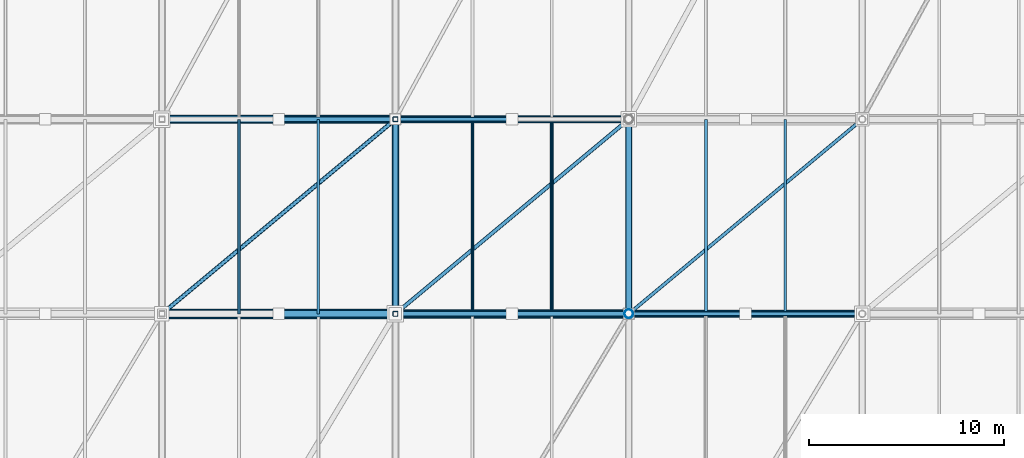
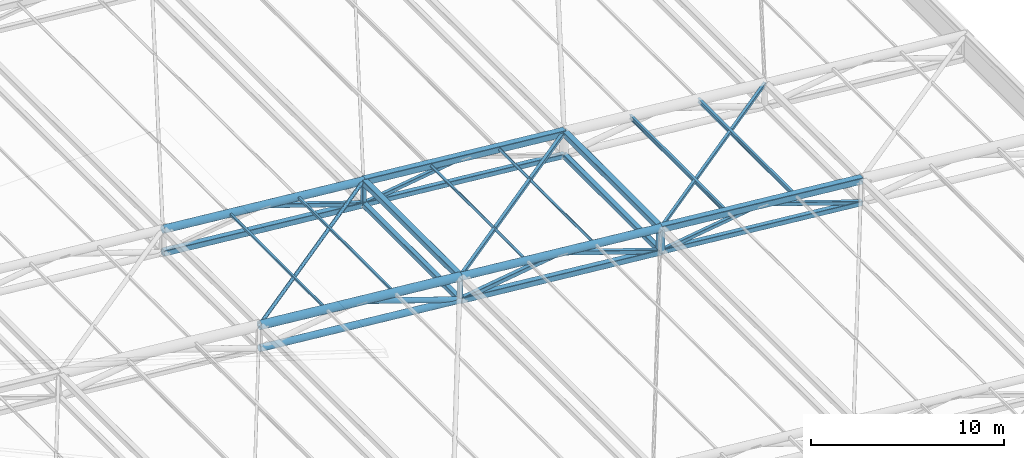
# One storey, part 34 of 44: 33 members.
"""IFC4 building model written with IfcOpenShell, lengths in metres."""

from ifc_helpers import new_model, si_unit, direction, frame, origin, origin_2d, place, context, subcontext, project, spatial, hollow_rectangle, hollow_circle, i_section, extrude, material, material_profile, profile_set, type_object, element, save


model = new_model("IFC4")

# Units and contexts
model_context = context("Model", 3, precision=1e-05, world=origin(), true_north=direction((0.0, 1.0)))
body_context = subcontext(model_context, "Body", "Model", "MODEL_VIEW")
ifc_project = project(units=[si_unit("LENGTHUNIT", "METRE"), si_unit("AREAUNIT", "SQUARE_METRE"), si_unit("VOLUMEUNIT", "CUBIC_METRE"), si_unit("PLANEANGLEUNIT", "RADIAN"), si_unit("MASSUNIT", "GRAM", prefix="KILO")], contexts=[model_context])

# Site, building, storey
site_placement = place(None, origin())
site = spatial("IfcSite", under=ifc_project, at=site_placement, CompositionType="ELEMENT")
building_placement = place(site_placement, origin())
building = spatial("IfcBuilding", under=site, at=building_placement, Name="Brinegate Civic Arena", CompositionType="ELEMENT")
storey_placement = place(building_placement, frame((0.0, 0.0, 29.39990234375)))
storey = spatial("IfcBuildingStorey", under=building, at=storey_placement, Name="RF", CompositionType="ELEMENT", Elevation=29.39990234375)

# Members
ifc_material = material(Name="Steel S355", Category="steel")
ifc_material_profile_1 = material_profile(ifc_material, hollow_circle(Radius=0.083984375, WallThickness=0.008056640625, at=origin_2d()), Name="CHS168X8")
ifc_profile_set_1 = profile_set([ifc_material_profile_1], Name="Steel S355")
member_type_1 = type_object("IfcMemberType", Name="RF-PURLIN-CHS168", PredefinedType="PURLIN", material=ifc_profile_set_1)
for number, where, z_axis, x_axis, name in (
    (1, (123.9599609375, 72.0, 4.585205078125), (0.0, 1.0, 0.0), (-1.0, 0.0, 0.0), "Roof Purlin RFP-085"),
    (2, (128.0400390625, 72.0, 4.2021484375), (0.0, 1.0, 0.0), (-1.0, 0.0, 0.0), "Roof Purlin RFP-086"),
):
    element("IfcMember", number, at=place(storey_placement, frame(where, z_axis=z_axis, x_axis=x_axis)), inside=storey, type_object=member_type_1, Name=name, PredefinedType="PURLIN", context=body_context, shape_type="SweptSolid", body=[
        extrude(hollow_circle(Radius=0.083984375, WallThickness=0.008056640625, at=origin_2d()), origin(), (0.0, 0.0, 1.0), 10.0),
    ])
ifc_material_profile_2 = material_profile(ifc_material, hollow_rectangle(XDim=0.139892578125, YDim=0.139892578125, WallThickness=0.008056640625, InnerFilletRadius=0.008056640625, OuterFilletRadius=0.01611328125, at=origin_2d()), Name="SHS140X8")
ifc_profile_set_2 = profile_set([ifc_material_profile_2], Name="Steel S355")
member_type_2 = type_object("IfcMemberType", Name="RF-PURLIN-SHS140", PredefinedType="PURLIN", material=ifc_profile_set_2)
for number, where, z_axis, x_axis, name in (
    (3, (111.9599609375, 72.0, 5.72412109375), (0.0, 1.0, 0.0), (-1.0, 0.0, 0.0), "Roof Purlin RFP-083"),
    (4, (116.0400390625, 72.0, 5.341064453125), (0.0, 1.0, 0.0), (-1.0, 0.0, 0.0), "Roof Purlin RFP-084"),
):
    element("IfcMember", number, at=place(storey_placement, frame(where, z_axis=z_axis, x_axis=x_axis)), inside=storey, type_object=member_type_2, Name=name, PredefinedType="PURLIN", context=body_context, shape_type="SweptSolid", body=[
        extrude(hollow_rectangle(XDim=0.139892578125, YDim=0.139892578125, WallThickness=0.008056640625, InnerFilletRadius=0.008056640625, OuterFilletRadius=0.01611328125, at=origin_2d()), origin(), (0.0, 0.0, 1.0), 10.0),
    ])
ifc_material_profile_3 = material_profile(ifc_material, i_section(OverallWidth=0.14794921875, OverallDepth=0.26611328125, WebThickness=0.008056640625, FlangeThickness=0.012939453125, FilletRadius=0.011962890625, at=origin_2d()), Name="W250X45")
ifc_profile_set_3 = profile_set([ifc_material_profile_3], Name="Steel S355")
member_type_3 = type_object("IfcMemberType", Name="RF-PURLIN-W250", PredefinedType="PURLIN", material=ifc_profile_set_3)
for number, where, z_axis, x_axis, name in (
    (5, (135.9599609375, 72.0, 3.4111328125), (0.0, 1.0, 0.0), (-1.0, 0.0, 0.0), "Roof Purlin RFP-087"),
    (6, (140.0400390625, 72.0, 3.028076171875), (0.0, 1.0, 0.0), (-1.0, 0.0, 0.0), "Roof Purlin RFP-088"),
):
    element("IfcMember", number, at=place(storey_placement, frame(where, z_axis=z_axis, x_axis=x_axis)), inside=storey, type_object=member_type_3, Name=name, PredefinedType="PURLIN", context=body_context, shape_type="SweptSolid", body=[
        extrude(i_section(OverallWidth=0.14794921875, OverallDepth=0.26611328125, WebThickness=0.008056640625, FlangeThickness=0.012939453125, FilletRadius=0.011962890625, at=origin_2d()), origin(), (0.0, 0.0, 1.0), 10.0),
    ])
ifc_material_profile_4 = material_profile(ifc_material, hollow_circle(Radius=0.109619140625, WallThickness=0.010009765625, at=origin_2d()), Name="CHS219X10")
ifc_profile_set_4 = profile_set([ifc_material_profile_4], Name="Steel S355")
member_type_4 = type_object("IfcMemberType", Name="SF-BRACE-CHS219", PredefinedType="BRACE", material=ifc_profile_set_4)
member_1_placement = place(storey_placement, frame((108.0, 72.0, 6.050048828125), z_axis=(0.766236619907, 0.638530516589, -0.071834683116), x_axis=(-0.640184399664, 0.768221279597, 0.0)))
element("IfcMember", 7, at=member_1_placement, inside=storey, type_object=member_type_4, Name="Roof Plan Diagonal Brace PL-5-6", PredefinedType="BRACE", context=body_context, shape_type="SweptSolid", body=[
    extrude(hollow_circle(Radius=0.109619140625, WallThickness=0.010009765625, at=origin_2d()), origin(), (0.0, 0.0, 1.0), 15.660888671875),
])
ifc_material_profile_5 = material_profile(ifc_material, hollow_circle(Radius=0.162109375, WallThickness=0.011962890625, at=origin_2d()), Name="CHS324X12")
ifc_profile_set_5 = profile_set([ifc_material_profile_5], Name="Steel S355")
member_type_5 = type_object("IfcMemberType", Name="SF-BRACE-CHS324", PredefinedType="BRACE", material=ifc_profile_set_5)
member_2_placement = place(storey_placement, frame((114.0, 72.0, 5.488037109375), z_axis=(0.948068139281, 0.0, -0.318067293635), x_axis=(0.0, 1.0, 0.0)))
element("IfcMember", 8, at=member_2_placement, inside=storey, type_object=member_type_5, Name="Space Frame Web Brace D2-5-6", PredefinedType="BRACE", context=body_context, shape_type="SweptSolid", body=[
    extrude(hollow_circle(Radius=0.162109375, WallThickness=0.011962890625, at=origin_2d()), origin(), (0.0, 0.0, 1.0), 6.32861328125),
])
ifc_material_profile_6 = material_profile(ifc_material, hollow_rectangle(XDim=0.179931640625, YDim=0.179931640625, WallThickness=0.010009765625, InnerFilletRadius=0.010009765625, OuterFilletRadius=0.02001953125, at=origin_2d()), Name="SHS180X10")
ifc_profile_set_6 = profile_set([ifc_material_profile_6], Name="Steel S355")
member_type_6 = type_object("IfcMemberType", Name="SF-BRACE-SHS180", PredefinedType="BRACE", material=ifc_profile_set_6)
member_3_placement = place(storey_placement, frame((132.0, 72.0, 3.800048828125), z_axis=(0.766236619907, 0.638530516589, -0.071834683116), x_axis=(-0.640184399664, 0.768221279597, 0.0)))
element("IfcMember", 9, at=member_3_placement, inside=storey, type_object=member_type_6, Name="Roof Plan Diagonal Brace PL-5-8", PredefinedType="BRACE", context=body_context, shape_type="SweptSolid", body=[
    extrude(hollow_rectangle(XDim=0.179931640625, YDim=0.179931640625, WallThickness=0.010009765625, InnerFilletRadius=0.010009765625, OuterFilletRadius=0.02001953125, at=origin_2d()), origin(), (0.0, 0.0, 1.0), 15.660888671875),
])
ifc_material_profile_7 = material_profile(ifc_material, hollow_rectangle(XDim=0.199951171875, YDim=0.199951171875, WallThickness=0.010009765625, InnerFilletRadius=0.010009765625, OuterFilletRadius=0.02001953125, at=origin_2d()), Name="SHS200X10")
ifc_profile_set_7 = profile_set([ifc_material_profile_7], Name="Steel S355")
member_type_7 = type_object("IfcMemberType", Name="SF-BRACE-SHS200", PredefinedType="BRACE", material=ifc_profile_set_7)
member_4_placement = place(storey_placement, frame((120.0, 72.0, 4.925048828125), z_axis=(0.766236619907, 0.638530516589, -0.071834683116), x_axis=(-0.640184399664, 0.768221279597, 0.0)))
element("IfcMember", 10, at=member_4_placement, inside=storey, type_object=member_type_7, Name="Roof Plan Diagonal Brace PL-5-7", PredefinedType="BRACE", context=body_context, shape_type="SweptSolid", body=[
    extrude(hollow_rectangle(XDim=0.199951171875, YDim=0.199951171875, WallThickness=0.010009765625, InnerFilletRadius=0.010009765625, OuterFilletRadius=0.02001953125, at=origin_2d()), origin(), (0.0, 0.0, 1.0), 15.660888671875),
])
ifc_material_profile_8 = material_profile(ifc_material, hollow_rectangle(XDim=0.219970703125, YDim=0.219970703125, WallThickness=0.011962890625, InnerFilletRadius=0.011962890625, OuterFilletRadius=0.02392578125, at=origin_2d()), Name="SHS220X12")
ifc_profile_set_8 = profile_set([ifc_material_profile_8], Name="Steel S355")
member_type_8 = type_object("IfcMemberType", Name="SF-BRACE-SHS220", PredefinedType="BRACE", material=ifc_profile_set_8)
member_5_placement = place(storey_placement, frame((132.0, 72.0, 2.35009765625), z_axis=(0.989226142737, 0.0, 0.1463954867), x_axis=(0.0, 1.0, 0.0)))
element("IfcMember", 11, at=member_5_placement, inside=storey, type_object=member_type_8, Name="Space Frame Web Brace D1-5-8", PredefinedType="BRACE", context=body_context, shape_type="SweptSolid", body=[
    extrude(hollow_rectangle(XDim=0.219970703125, YDim=0.219970703125, WallThickness=0.011962890625, InnerFilletRadius=0.011962890625, OuterFilletRadius=0.02392578125, at=origin_2d()), origin(), (0.0, 0.0, 1.0), 6.0654296875),
])
member_6_placement = place(storey_placement, frame((138.0, 72.0, 3.238037109375), z_axis=(0.948068139281, 0.0, -0.318067293635), x_axis=(0.0, 1.0, 0.0)))
element("IfcMember", 12, at=member_6_placement, inside=storey, type_object=member_type_8, Name="Space Frame Web Brace D2-5-8", PredefinedType="BRACE", context=body_context, shape_type="SweptSolid", body=[
    extrude(hollow_rectangle(XDim=0.219970703125, YDim=0.219970703125, WallThickness=0.011962890625, InnerFilletRadius=0.011962890625, OuterFilletRadius=0.02392578125, at=origin_2d()), origin(), (0.0, 0.0, 1.0), 6.32861328125),
])
member_7_placement = place(storey_placement, frame((120.0, 82.0, 3.47509765625), z_axis=(0.989226142737, 0.0, 0.1463954867), x_axis=(0.0, 1.0, 0.0)))
element("IfcMember", 13, at=member_7_placement, inside=storey, type_object=member_type_8, Name="Space Frame Web Brace D1-6-7", PredefinedType="BRACE", context=body_context, shape_type="SweptSolid", body=[
    extrude(hollow_rectangle(XDim=0.219970703125, YDim=0.219970703125, WallThickness=0.011962890625, InnerFilletRadius=0.011962890625, OuterFilletRadius=0.02392578125, at=origin_2d()), origin(), (0.0, 0.0, 1.0), 6.0654296875),
])
ifc_material_profile_9 = material_profile(ifc_material, hollow_rectangle(XDim=0.25, YDim=0.25, WallThickness=0.011962890625, InnerFilletRadius=0.011962890625, OuterFilletRadius=0.02392578125, at=origin_2d()), Name="SHS250X12")
ifc_profile_set_9 = profile_set([ifc_material_profile_9], Name="Steel S355")
member_type_9 = type_object("IfcMemberType", Name="SF-BRACE-SHS250", PredefinedType="BRACE", material=ifc_profile_set_9)
member_8_placement = place(storey_placement, frame((120.0, 72.0, 3.47509765625), z_axis=(0.989226142737, 0.0, 0.1463954867), x_axis=(0.0, 1.0, 0.0)))
element("IfcMember", 14, at=member_8_placement, inside=storey, type_object=member_type_9, Name="Space Frame Web Brace D1-5-7", PredefinedType="BRACE", context=body_context, shape_type="SweptSolid", body=[
    extrude(hollow_rectangle(XDim=0.25, YDim=0.25, WallThickness=0.011962890625, InnerFilletRadius=0.011962890625, OuterFilletRadius=0.02392578125, at=origin_2d()), origin(), (0.0, 0.0, 1.0), 6.0654296875),
])
for number, where, z_axis, x_axis, name in (
    (15, (126.0, 72.0, 4.363037109375), (0.948068139281, 0.0, -0.318067293635), (0.0, 1.0, 0.0), "Space Frame Web Brace D2-5-7"),
    (16, (114.0, 82.0, 5.488037109375), (0.948068139281, 0.0, -0.318067293635), (0.0, 1.0, 0.0), "Space Frame Web Brace D2-6-6"),
):
    element("IfcMember", number, at=place(storey_placement, frame(where, z_axis=z_axis, x_axis=x_axis)), inside=storey, type_object=member_type_9, Name=name, PredefinedType="BRACE", context=body_context, shape_type="SweptSolid", body=[
        extrude(hollow_rectangle(XDim=0.25, YDim=0.25, WallThickness=0.011962890625, InnerFilletRadius=0.011962890625, OuterFilletRadius=0.02392578125, at=origin_2d()), origin(), (0.0, 0.0, 1.0), 6.32861328125),
    ])
ifc_material_profile_10 = material_profile(ifc_material, hollow_circle(Radius=0.202880859375, WallThickness=0.01611328125, at=origin_2d()), Name="CHS406X16")
ifc_profile_set_10 = profile_set([ifc_material_profile_10], Name="Steel S355")
member_type_10 = type_object("IfcMemberType", Name="SF-CHORD-CHS406", PredefinedType="CHORD", material=ifc_profile_set_10)
member_9_placement = place(storey_placement, frame((108.0, 72.0, 4.60009765625), z_axis=(0.995634226059, 0.0, -0.093340708693), x_axis=(0.0, 1.0, 0.0)))
element("IfcMember", 17, at=member_9_placement, inside=storey, type_object=member_type_10, Name="Space Frame Bottom Chord BX-5-6", PredefinedType="CHORD", context=body_context, shape_type="SweptSolid", body=[
    extrude(hollow_circle(Radius=0.202880859375, WallThickness=0.01611328125, at=origin_2d()), origin(), (0.0, 0.0, 1.0), 12.052734375),
])
ifc_material_profile_11 = material_profile(ifc_material, hollow_circle(Radius=0.228515625, WallThickness=0.01611328125, at=origin_2d()), Name="CHS457X16")
ifc_profile_set_11 = profile_set([ifc_material_profile_11], Name="Steel S355")
member_type_11 = type_object("IfcMemberType", Name="SF-CHORD-CHS457", PredefinedType="CHORD", material=ifc_profile_set_11)
for number, where, z_axis, x_axis, name in (
    (18, (120.0, 72.0, 4.925048828125), (0.995634226059, 0.0, -0.093340708693), (0.0, 1.0, 0.0), "Space Frame Top Chord TX-5-7"),
    (19, (108.0, 82.0, 6.050048828125), (0.995634226059, 0.0, -0.093340708693), (0.0, 1.0, 0.0), "Space Frame Top Chord TX-6-6"),
):
    element("IfcMember", number, at=place(storey_placement, frame(where, z_axis=z_axis, x_axis=x_axis)), inside=storey, type_object=member_type_11, Name=name, PredefinedType="CHORD", context=body_context, shape_type="SweptSolid", body=[
        extrude(hollow_circle(Radius=0.228515625, WallThickness=0.01611328125, at=origin_2d()), origin(), (0.0, 0.0, 1.0), 12.052734375),
    ])
ifc_material_profile_12 = material_profile(ifc_material, hollow_circle(Radius=0.25390625, WallThickness=0.02001953125, at=origin_2d()), Name="CHS508X20")
ifc_profile_set_12 = profile_set([ifc_material_profile_12], Name="Steel S355")
member_type_12 = type_object("IfcMemberType", Name="SF-CHORD-CHS508", PredefinedType="CHORD", material=ifc_profile_set_12)
member_10_placement = place(storey_placement, frame((108.0, 72.0, 6.050048828125), z_axis=(0.995634226059, 0.0, -0.093340708693), x_axis=(0.0, 1.0, 0.0)))
element("IfcMember", 20, at=member_10_placement, inside=storey, type_object=member_type_12, Name="Space Frame Top Chord TX-5-6", PredefinedType="CHORD", context=body_context, shape_type="SweptSolid", body=[
    extrude(hollow_circle(Radius=0.25390625, WallThickness=0.02001953125, at=origin_2d()), origin(), (0.0, 0.0, 1.0), 12.052734375),
])
ifc_material_profile_13 = material_profile(ifc_material, hollow_rectangle(XDim=0.300048828125, YDim=0.300048828125, WallThickness=0.01611328125, InnerFilletRadius=0.01611328125, OuterFilletRadius=0.031982421875, at=origin_2d()), Name="SHS300X16")
ifc_profile_set_13 = profile_set([ifc_material_profile_13], Name="Steel S355")
member_type_13 = type_object("IfcMemberType", Name="SF-CHORD-SHS300", PredefinedType="CHORD", material=ifc_profile_set_13)
for number, where, z_axis, x_axis, name in (
    (21, (132.0, 72.0, 2.35009765625), (0.995634226059, 0.0, -0.093340708693), (0.0, 1.0, 0.0), "Space Frame Bottom Chord BX-5-8"),
    (22, (120.0, 82.0, 3.47509765625), (0.995634226059, 0.0, -0.093340708693), (0.0, 1.0, 0.0), "Space Frame Bottom Chord BX-6-7"),
):
    element("IfcMember", number, at=place(storey_placement, frame(where, z_axis=z_axis, x_axis=x_axis)), inside=storey, type_object=member_type_13, Name=name, PredefinedType="CHORD", context=body_context, shape_type="SweptSolid", body=[
        extrude(hollow_rectangle(XDim=0.300048828125, YDim=0.300048828125, WallThickness=0.01611328125, InnerFilletRadius=0.01611328125, OuterFilletRadius=0.031982421875, at=origin_2d()), origin(), (0.0, 0.0, 1.0), 12.052734375),
    ])
for number, where, z_axis, x_axis, name in (
    (23, (120.0, 72.0, 3.47509765625), (0.0, 1.0, 0.0), (-1.0, 0.0, 0.0), "Space Frame Cross Bottom Chord BY-5-7"),
    (24, (132.0, 72.0, 2.35009765625), (0.0, 1.0, 0.0), (-1.0, 0.0, 0.0), "Space Frame Cross Bottom Chord BY-5-8"),
):
    element("IfcMember", number, at=place(storey_placement, frame(where, z_axis=z_axis, x_axis=x_axis)), inside=storey, type_object=member_type_13, Name=name, PredefinedType="CHORD", context=body_context, shape_type="SweptSolid", body=[
        extrude(hollow_rectangle(XDim=0.300048828125, YDim=0.300048828125, WallThickness=0.01611328125, InnerFilletRadius=0.01611328125, OuterFilletRadius=0.031982421875, at=origin_2d()), origin(), (0.0, 0.0, 1.0), 10.0),
    ])
ifc_material_profile_14 = material_profile(ifc_material, hollow_rectangle(XDim=0.35009765625, YDim=0.35009765625, WallThickness=0.01611328125, InnerFilletRadius=0.01611328125, OuterFilletRadius=0.031982421875, at=origin_2d()), Name="SHS350X16")
ifc_profile_set_14 = profile_set([ifc_material_profile_14], Name="Steel S355")
member_type_14 = type_object("IfcMemberType", Name="SF-CHORD-SHS350", PredefinedType="CHORD", material=ifc_profile_set_14)
for number, where, z_axis, x_axis, name in (
    (25, (120.0, 72.0, 3.47509765625), (0.995634226059, 0.0, -0.093340708693), (0.0, 1.0, 0.0), "Space Frame Bottom Chord BX-5-7"),
    (26, (108.0, 82.0, 4.60009765625), (0.995634226059, 0.0, -0.093340708693), (0.0, 1.0, 0.0), "Space Frame Bottom Chord BX-6-6"),
):
    element("IfcMember", number, at=place(storey_placement, frame(where, z_axis=z_axis, x_axis=x_axis)), inside=storey, type_object=member_type_14, Name=name, PredefinedType="CHORD", context=body_context, shape_type="SweptSolid", body=[
        extrude(hollow_rectangle(XDim=0.35009765625, YDim=0.35009765625, WallThickness=0.01611328125, InnerFilletRadius=0.01611328125, OuterFilletRadius=0.031982421875, at=origin_2d()), origin(), (0.0, 0.0, 1.0), 12.052734375),
    ])
for number, where, z_axis, x_axis, name in (
    (27, (120.0, 72.0, 4.925048828125), (0.0, 1.0, 0.0), (-1.0, 0.0, 0.0), "Space Frame Cross Top Chord TY-5-7"),
    (28, (132.0, 72.0, 3.800048828125), (0.0, 1.0, 0.0), (-1.0, 0.0, 0.0), "Space Frame Cross Top Chord TY-5-8"),
):
    element("IfcMember", number, at=place(storey_placement, frame(where, z_axis=z_axis, x_axis=x_axis)), inside=storey, type_object=member_type_14, Name=name, PredefinedType="CHORD", context=body_context, shape_type="SweptSolid", body=[
        extrude(hollow_rectangle(XDim=0.35009765625, YDim=0.35009765625, WallThickness=0.01611328125, InnerFilletRadius=0.01611328125, OuterFilletRadius=0.031982421875, at=origin_2d()), origin(), (0.0, 0.0, 1.0), 10.0),
    ])
ifc_material_profile_15 = material_profile(ifc_material, hollow_rectangle(XDim=0.39990234375, YDim=0.39990234375, WallThickness=0.02001953125, InnerFilletRadius=0.02001953125, OuterFilletRadius=0.0400390625, at=origin_2d()), Name="SHS400X20")
ifc_profile_set_15 = profile_set([ifc_material_profile_15], Name="Steel S355")
member_type_15 = type_object("IfcMemberType", Name="SF-CHORD-SHS400", PredefinedType="CHORD", material=ifc_profile_set_15)
for number, where, z_axis, x_axis, name in (
    (29, (132.0, 72.0, 3.800048828125), (0.995634226059, 0.0, -0.093340708693), (0.0, 1.0, 0.0), "Space Frame Top Chord TX-5-8"),
    (30, (120.0, 82.0, 4.925048828125), (0.995634226059, 0.0, -0.093340708693), (0.0, 1.0, 0.0), "Space Frame Top Chord TX-6-7"),
):
    element("IfcMember", number, at=place(storey_placement, frame(where, z_axis=z_axis, x_axis=x_axis)), inside=storey, type_object=member_type_15, Name=name, PredefinedType="CHORD", context=body_context, shape_type="SweptSolid", body=[
        extrude(hollow_rectangle(XDim=0.39990234375, YDim=0.39990234375, WallThickness=0.02001953125, InnerFilletRadius=0.02001953125, OuterFilletRadius=0.0400390625, at=origin_2d()), origin(), (0.0, 0.0, 1.0), 12.052734375),
    ])
ifc_material_profile_16 = material_profile(ifc_material, hollow_circle(Radius=0.228515625, WallThickness=0.01611328125, at=origin_2d()), Name="CHS457X16")
ifc_profile_set_16 = profile_set([ifc_material_profile_16], Name="Steel S355")
member_type_16 = type_object("IfcMemberType", Name="SF-STRUT-CHS457", PredefinedType="STRUT", material=ifc_profile_set_16)
member_11_placement = place(storey_placement, frame((132.0, 72.0, 2.35009765625), z_axis=(0.0, 0.0, 1.0), x_axis=(1.0, 0.0, 0.0)))
element("IfcMember", 31, at=member_11_placement, inside=storey, type_object=member_type_16, Name="Space Frame Vertical Post V-5-8", PredefinedType="STRUT", context=body_context, shape_type="SweptSolid", body=[
    extrude(hollow_circle(Radius=0.228515625, WallThickness=0.01611328125, at=origin_2d()), origin(), (0.0, 0.0, 1.0), 1.449951171875),
])
ifc_material_profile_17 = material_profile(ifc_material, hollow_rectangle(XDim=0.25, YDim=0.25, WallThickness=0.011962890625, InnerFilletRadius=0.011962890625, OuterFilletRadius=0.02392578125, at=origin_2d()), Name="SHS250X12")
ifc_profile_set_17 = profile_set([ifc_material_profile_17], Name="Steel S355")
member_type_17 = type_object("IfcMemberType", Name="SF-STRUT-SHS250", PredefinedType="STRUT", material=ifc_profile_set_17)
for number, where, z_axis, x_axis, name in (
    (32, (120.0, 72.0, 3.47509765625), (0.0, 0.0, 1.0), (1.0, 0.0, 0.0), "Space Frame Vertical Post V-5-7"),
    (33, (120.0, 82.0, 3.47509765625), (0.0, 0.0, 1.0), (1.0, 0.0, 0.0), "Space Frame Vertical Post V-6-7"),
):
    element("IfcMember", number, at=place(storey_placement, frame(where, z_axis=z_axis, x_axis=x_axis)), inside=storey, type_object=member_type_17, Name=name, PredefinedType="STRUT", context=body_context, shape_type="SweptSolid", body=[
        extrude(hollow_rectangle(XDim=0.25, YDim=0.25, WallThickness=0.011962890625, InnerFilletRadius=0.011962890625, OuterFilletRadius=0.02392578125, at=origin_2d()), origin(), (0.0, 0.0, 1.0), 1.449951171875),
    ])

save(model, "model.ifc")
